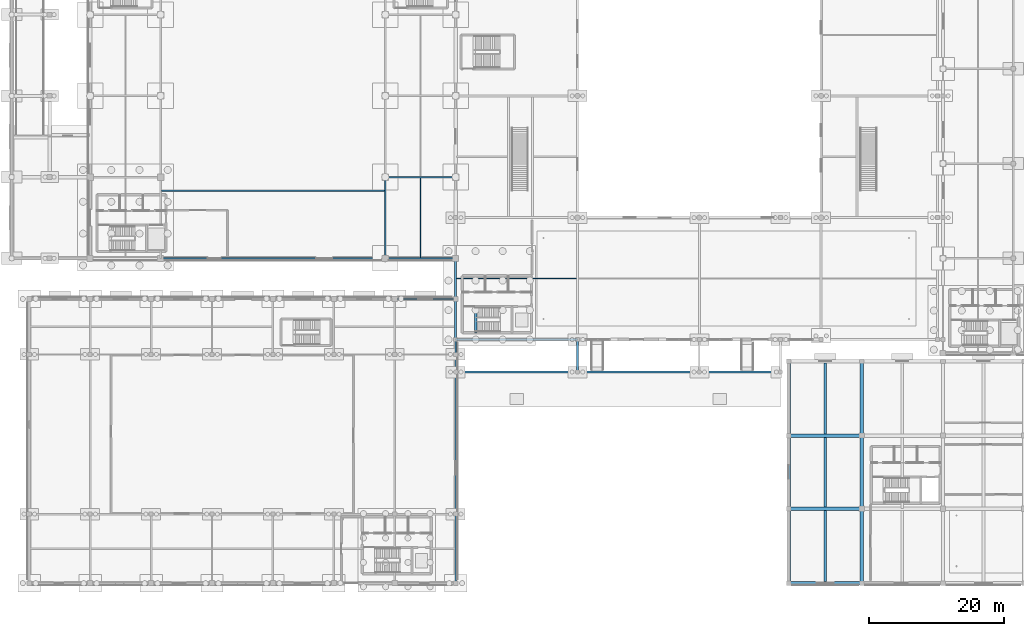
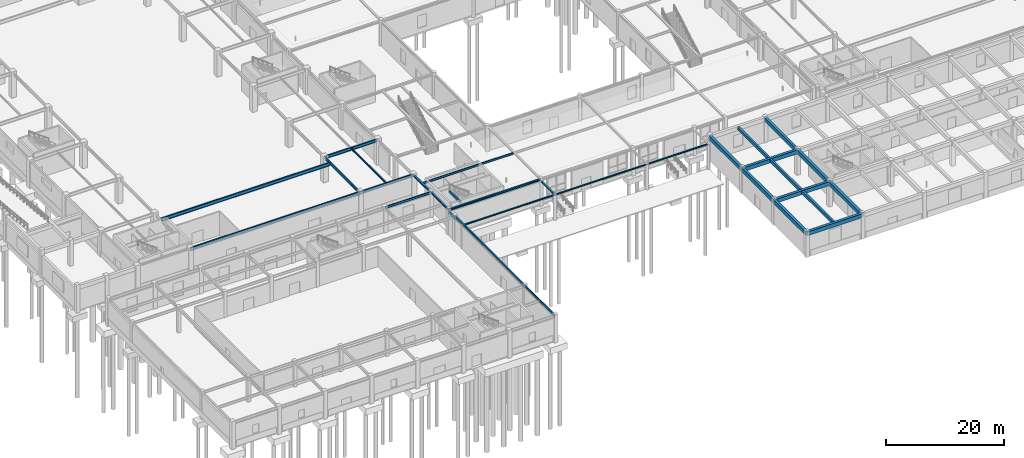
# One storey, part 12 of 53: 30 beams.
"""IFC4 building model written with IfcOpenShell, lengths in metres."""

from ifc_helpers import new_model, si_unit, derived_unit, direction, frame, origin, origin_2d, place, context, subcontext, project, spatial, rectangle, i_section, extrude, material, material_profile, profile_set, type_object, element, save


model = new_model("IFC4")

# Units and contexts
model_context = context("Model", 3, precision=1e-05, world=origin(), true_north=direction((0.0, 1.0)))
body_context = subcontext(model_context, "Body", "Model", "MODEL_VIEW")
ifc_project = project(units=[si_unit("LENGTHUNIT", "METRE"), si_unit("AREAUNIT", "SQUARE_METRE"), si_unit("VOLUMEUNIT", "CUBIC_METRE"), si_unit("PLANEANGLEUNIT", "RADIAN"), si_unit("MASSUNIT", "GRAM", prefix="KILO"), derived_unit("THERMALTRANSMITTANCEUNIT", [(si_unit("POWERUNIT", "WATT"), 1), (si_unit("LENGTHUNIT", "METRE"), -2), (si_unit("THERMODYNAMICTEMPERATUREUNIT", "KELVIN"), -1)])], contexts=[model_context])

# Site, building, storey
site_placement = place(None, origin())
site = spatial("IfcSite", under=ifc_project, at=site_placement, CompositionType="ELEMENT")
building_placement = place(site_placement, origin())
building = spatial("IfcBuilding", under=site, at=building_placement, Name="Almenara Railside Exhibition Hall", CompositionType="ELEMENT")
storey_placement = place(building_placement, origin())
storey = spatial("IfcBuildingStorey", under=building, at=storey_placement, Name="L00", CompositionType="ELEMENT", Elevation=0.0)

# Beams
ifc_material_1 = material(Name="Concrete C35/45", Category="concrete")
ifc_material_profile_1 = material_profile(ifc_material_1, rectangle(XDim=0.5, YDim=0.800048828125, at=origin_2d()), Name="RC 500x800")
ifc_profile_set_1 = profile_set([ifc_material_profile_1], Name="Concrete C35/45")
beam_type_1 = type_object("IfcBeamType", Name="RC Primary Beam 500x800 C35/45", PredefinedType="BEAM", material=ifc_profile_set_1)
for number, where, z_axis, x_axis, name in (
    (1, (115.199951171875, 0.0, 4.736083984375), (1.0, 0.0, 0.0), (0.0, 1.0, 0.0), "Beam 0082"),
    (2, (115.199951171875, 11.0, 4.736083984375), (1.0, 0.0, 0.0), (0.0, 1.0, 0.0), "Beam 0090"),
    (3, (115.199951171875, 21.800048828125, 4.736083984375), (1.0, 0.0, 0.0), (0.0, 1.0, 0.0), "Beam 0098"),
):
    element("IfcBeam", number, at=place(storey_placement, frame(where, z_axis=z_axis, x_axis=x_axis)), inside=storey, type_object=beam_type_1, Name=name, PredefinedType="BEAM", context=body_context, shape_type="SweptSolid", body=[
        extrude(rectangle(XDim=0.5, YDim=0.800048828125, at=origin_2d()), origin(), (0.0, 0.0, 1.0), 10.800048828125),
    ])
beam_1_placement = place(storey_placement, frame((115.199951171875, 0.0, 4.736083984375), z_axis=(0.0, 1.0, 0.0), x_axis=(-1.0, 0.0, 0.0)))
element("IfcBeam", 4, at=beam_1_placement, inside=storey, type_object=beam_type_1, Name="Beam 0114", PredefinedType="BEAM", context=body_context, shape_type="SweptSolid", body=[
    extrude(rectangle(XDim=0.5, YDim=0.800048828125, at=origin_2d()), origin(), (0.0, 0.0, 1.0), 11.0),
])
beam_2_placement = place(storey_placement, frame((115.199951171875, 11.0, 4.736083984375), z_axis=(0.0, 1.0, 0.0), x_axis=(-1.0, 0.0, 0.0)))
element("IfcBeam", 5, at=beam_2_placement, inside=storey, type_object=beam_type_1, Name="Beam 0115", PredefinedType="BEAM", context=body_context, shape_type="SweptSolid", body=[
    extrude(rectangle(XDim=0.5, YDim=0.800048828125, at=origin_2d()), origin(), (0.0, 0.0, 1.0), 10.800048828125),
])
for number, where, z_axis, x_axis, name in (
    (6, (115.199951171875, 21.800048828125, 4.736083984375), (0.0, 1.0, 0.0), (-1.0, 0.0, 0.0), "Beam 0116"),
    (7, (126.0, 0.0, 4.736083984375), (0.0, 1.0, 0.0), (-1.0, 0.0, 0.0), "Beam 0117"),
):
    element("IfcBeam", number, at=place(storey_placement, frame(where, z_axis=z_axis, x_axis=x_axis)), inside=storey, type_object=beam_type_1, Name=name, PredefinedType="BEAM", context=body_context, shape_type="SweptSolid", body=[
        extrude(rectangle(XDim=0.5, YDim=0.800048828125, at=origin_2d()), origin(), (0.0, 0.0, 1.0), 11.0),
    ])
beam_3_placement = place(storey_placement, frame((126.0, 11.0, 4.736083984375), z_axis=(0.0, 1.0, 0.0), x_axis=(-1.0, 0.0, 0.0)))
element("IfcBeam", 8, at=beam_3_placement, inside=storey, type_object=beam_type_1, Name="Beam 0118", PredefinedType="BEAM", context=body_context, shape_type="SweptSolid", body=[
    extrude(rectangle(XDim=0.5, YDim=0.800048828125, at=origin_2d()), origin(), (0.0, 0.0, 1.0), 10.800048828125),
])
beam_4_placement = place(storey_placement, frame((126.0, 21.800048828125, 4.736083984375), z_axis=(0.0, 1.0, 0.0), x_axis=(-1.0, 0.0, 0.0)))
element("IfcBeam", 9, at=beam_4_placement, inside=storey, type_object=beam_type_1, Name="Beam 0119", PredefinedType="BEAM", context=body_context, shape_type="SweptSolid", body=[
    extrude(rectangle(XDim=0.5, YDim=0.800048828125, at=origin_2d()), origin(), (0.0, 0.0, 1.0), 11.0),
])
ifc_material_profile_2 = material_profile(ifc_material_1, rectangle(XDim=0.39990234375, YDim=0.60009765625, at=origin_2d()), Name="RC 400x600")
ifc_profile_set_2 = profile_set([ifc_material_profile_2], Name="Concrete C35/45")
beam_type_2 = type_object("IfcBeamType", Name="RC Secondary Beam 400x600 C35/45", PredefinedType="BEAM", material=ifc_profile_set_2)
beam_5_placement = place(storey_placement, frame((120.60009765625, 0.25, 4.8359375), z_axis=(0.0, 1.0, 0.0), x_axis=(-1.0, 0.0, 0.0)))
element("IfcBeam", 10, at=beam_5_placement, inside=storey, type_object=beam_type_2, Name="Beam 0142", PredefinedType="BEAM", context=body_context, shape_type="SweptSolid", body=[
    extrude(rectangle(XDim=0.39990234375, YDim=0.60009765625, at=origin_2d()), origin(), (0.0, 0.0, 1.0), 10.5),
])
beam_6_placement = place(storey_placement, frame((120.60009765625, 11.25, 4.8359375), z_axis=(0.0, 1.0, 0.0), x_axis=(-1.0, 0.0, 0.0)))
element("IfcBeam", 11, at=beam_6_placement, inside=storey, type_object=beam_type_2, Name="Beam 0143", PredefinedType="BEAM", context=body_context, shape_type="SweptSolid", body=[
    extrude(rectangle(XDim=0.39990234375, YDim=0.60009765625, at=origin_2d()), origin(), (0.0, 0.0, 1.0), 10.300048828125),
])
beam_7_placement = place(storey_placement, frame((120.60009765625, 22.050048828125, 4.8359375), z_axis=(0.0, 1.0, 0.0), x_axis=(-1.0, 0.0, 0.0)))
element("IfcBeam", 12, at=beam_7_placement, inside=storey, type_object=beam_type_2, Name="Beam 0144", PredefinedType="BEAM", context=body_context, shape_type="SweptSolid", body=[
    extrude(rectangle(XDim=0.39990234375, YDim=0.60009765625, at=origin_2d()), origin(), (0.0, 0.0, 1.0), 10.5),
])
ifc_material_profile_3 = material_profile(ifc_material_1, rectangle(XDim=0.35009765625, YDim=0.5, at=origin_2d()), Name="RC 350x500")
ifc_profile_set_3 = profile_set([ifc_material_profile_3], Name="Concrete C35/45")
beam_type_3 = type_object("IfcBeamType", Name="RC Spandrel Tie Beam 350x500 C35/45", PredefinedType="SPANDREL", material=ifc_profile_set_3)
beam_8_placement = place(storey_placement, frame((68.949951171875, 37.0, 4.885986328125), z_axis=(0.0, 1.0, 0.0), x_axis=(-1.0, 0.0, 0.0)))
element("IfcBeam", 13, at=beam_8_placement, inside=storey, type_object=beam_type_3, Name="Stair trimmer ST-C4-L00", PredefinedType="SPANDREL", context=body_context, shape_type="SweptSolid", body=[
    extrude(rectangle(XDim=0.35009765625, YDim=0.5, at=origin_2d()), origin(), (0.0, 0.0, 1.0), 3.89990234375),
])
ifc_material_2 = material(Name="Structural steel S355JR", Category="steel")
ifc_material_profile_4 = material_profile(ifc_material_2, i_section(OverallWidth=0.300048828125, OverallDepth=0.31005859375, WebThickness=0.009033203125, FlangeThickness=0.015380859375, FilletRadius=0.027099609375, at=origin_2d()), Name="HEA 320")
ifc_profile_set_4 = profile_set([ifc_material_profile_4], Name="Structural steel S355JR")
beam_type_4 = type_object("IfcBeamType", Name="Steel Concourse Edge Beam HEA 320 S355JR", PredefinedType="BEAM", material=ifc_profile_set_4)
beam_9_placement = place(storey_placement, frame((66.0, 36.0, 4.98095703125), z_axis=(0.0, 1.0, 0.0), x_axis=(-1.0, 0.0, 0.0)))
element("IfcBeam", 14, at=beam_9_placement, inside=storey, type_object=beam_type_4, Name="Beam 0768", PredefinedType="BEAM", context=body_context, shape_type="SweptSolid", body=[
    extrude(i_section(OverallWidth=0.300048828125, OverallDepth=0.31005859375, WebThickness=0.009033203125, FlangeThickness=0.015380859375, FilletRadius=0.027099609375, at=origin_2d()), origin(), (0.0, 0.0, 1.0), 12.0),
])
ifc_material_profile_5 = material_profile(ifc_material_2, i_section(OverallWidth=0.300048828125, OverallDepth=0.389892578125, WebThickness=0.010986328125, FlangeThickness=0.01904296875, FilletRadius=0.027099609375, at=origin_2d()), Name="HEA 400")
ifc_profile_set_5 = profile_set([ifc_material_profile_5], Name="Structural steel S355JR")
beam_type_5 = type_object("IfcBeamType", Name="Steel Concourse Main Beam HEA 400 S355JR", PredefinedType="BEAM", material=ifc_profile_set_5)
beam_10_placement = place(storey_placement, frame((66.0, 36.0, 4.94091796875), z_axis=(1.0, 0.0, 0.0), x_axis=(0.0, 1.0, 0.0)))
element("IfcBeam", 15, at=beam_10_placement, inside=storey, type_object=beam_type_5, Name="Beam 0737", PredefinedType="BEAM", context=body_context, shape_type="SweptSolid", body=[
    extrude(i_section(OverallWidth=0.300048828125, OverallDepth=0.389892578125, WebThickness=0.010986328125, FlangeThickness=0.01904296875, FilletRadius=0.027099609375, at=origin_2d()), origin(), (0.0, 0.0, 1.0), 18.0),
])
ifc_material_profile_6 = material_profile(ifc_material_2, i_section(OverallWidth=0.18994140625, OverallDepth=0.453369140625, WebThickness=0.008544921875, FlangeThickness=0.0126953125, FilletRadius=0.01025390625, at=origin_2d()), Name="UB 457x191x67")
ifc_profile_set_6 = profile_set([ifc_material_profile_6], Name="Structural steel S355JR")
beam_type_6 = type_object("IfcBeamType", Name="Steel Floor Beam UB 457x191x67 S355JR", PredefinedType="BEAM", material=ifc_profile_set_6)
beam_11_placement = place(storey_placement, frame((57.0, 42.0, 4.9091796875), z_axis=(1.0, 0.0, 0.0), x_axis=(0.0, 1.0, 0.0)))
element("IfcBeam", 16, at=beam_11_placement, inside=storey, type_object=beam_type_6, Name="Beam 0928", PredefinedType="BEAM", context=body_context, shape_type="SweptSolid", body=[
    extrude(i_section(OverallWidth=0.18994140625, OverallDepth=0.453369140625, WebThickness=0.008544921875, FlangeThickness=0.0126953125, FilletRadius=0.01025390625, at=origin_2d()), origin(), (0.0, 0.0, 1.0), 9.0),
])
ifc_material_profile_7 = material_profile(ifc_material_2, i_section(OverallWidth=0.22900390625, OverallDepth=0.6123046875, WebThickness=0.011962890625, FlangeThickness=0.01953125, FilletRadius=0.0126953125, at=origin_2d()), Name="UB 610x229x125")
ifc_profile_set_7 = profile_set([ifc_material_profile_7], Name="Structural steel S355JR")
beam_type_7 = type_object("IfcBeamType", Name="Steel Gallery Girder UB 610x229x125 S355JR", PredefinedType="USERDEFINED", material=ifc_profile_set_7)
for number, where, z_axis, x_axis, name in (
    (17, (55.60009765625, 48.0, 4.833984375), (1.0, 0.0, 0.0), (0.0, 1.0, 0.0), "Beam 0491"),
    (18, (55.60009765625, 60.0, 4.833984375), (1.0, 0.0, 0.0), (0.0, 1.0, 0.0), "Beam 0493"),
):
    element("IfcBeam", number, at=place(storey_placement, frame(where, z_axis=z_axis, x_axis=x_axis)), inside=storey, type_object=beam_type_7, Name=name, ObjectType="GIRDER", PredefinedType="USERDEFINED", context=body_context, shape_type="SweptSolid", body=[
        extrude(i_section(OverallWidth=0.22900390625, OverallDepth=0.6123046875, WebThickness=0.011962890625, FlangeThickness=0.01953125, FilletRadius=0.0126953125, at=origin_2d()), origin(), (0.0, 0.0, 1.0), 10.39990234375),
    ])
beam_12_placement = place(storey_placement, frame((66.0, 10.199951171875, 4.829833984375), z_axis=(0.0, 1.0, 0.0), x_axis=(-1.0, 0.0, 0.0)))
element("IfcBeam", 19, at=beam_12_placement, inside=storey, type_object=beam_type_7, Name="Beam 0869", ObjectType="GIRDER", PredefinedType="USERDEFINED", context=body_context, shape_type="SweptSolid", body=[
    extrude(i_section(OverallWidth=0.22900390625, OverallDepth=0.6123046875, WebThickness=0.011962890625, FlangeThickness=0.01953125, FilletRadius=0.0126953125, at=origin_2d()), origin(), (0.0, 0.0, 1.0), 23.60009765625),
])
ifc_material_profile_8 = material_profile(ifc_material_2, i_section(OverallWidth=0.172119140625, OverallDepth=0.35791015625, WebThickness=0.008056640625, FlangeThickness=0.012939453125, FilletRadius=0.01025390625, at=origin_2d()), Name="UB 356x171x57")
ifc_profile_set_8 = profile_set([ifc_material_profile_8], Name="Structural steel S355JR")
beam_type_8 = type_object("IfcBeamType", Name="Steel Gallery Joist UB 356x171x57 S355JR", PredefinedType="JOIST", material=ifc_profile_set_8)
beam_13_placement = place(storey_placement, frame((60.800048828125, 48.114501953125, 4.9609375), z_axis=(0.0, 1.0, 0.0), x_axis=(-1.0, 0.0, 0.0)))
element("IfcBeam", 20, at=beam_13_placement, inside=storey, type_object=beam_type_8, Name="Beam 0541", PredefinedType="JOIST", context=body_context, shape_type="SweptSolid", body=[
    extrude(i_section(OverallWidth=0.172119140625, OverallDepth=0.35791015625, WebThickness=0.008056640625, FlangeThickness=0.012939453125, FilletRadius=0.01025390625, at=origin_2d()), origin(), (0.0, 0.0, 1.0), 11.77099609375),
])
ifc_material_profile_9 = material_profile(ifc_material_2, i_section(OverallWidth=0.253662109375, OverallDepth=0.68359375, WebThickness=0.012451171875, FlangeThickness=0.01904296875, FilletRadius=0.01513671875, at=origin_2d()), Name="UB 686x254x140")
ifc_profile_set_9 = profile_set([ifc_material_profile_9], Name="Structural steel S355JR")
beam_type_9 = type_object("IfcBeamType", Name="Steel Heavy Deck Girder UB 686x254x140 S355JR", PredefinedType="USERDEFINED", material=ifc_profile_set_9)
beam_14_placement = place(storey_placement, frame((22.39990234375, 48.0, 4.79833984375), z_axis=(1.0, 0.0, 0.0), x_axis=(0.0, 1.0, 0.0)))
element("IfcBeam", 21, at=beam_14_placement, inside=storey, type_object=beam_type_9, Name="Beam 0506", ObjectType="GIRDER", PredefinedType="USERDEFINED", context=body_context, shape_type="SweptSolid", body=[
    extrude(i_section(OverallWidth=0.253662109375, OverallDepth=0.68359375, WebThickness=0.012451171875, FlangeThickness=0.01904296875, FilletRadius=0.01513671875, at=origin_2d()), origin(), (0.0, 0.0, 1.0), 33.2001953125),
])
beam_15_placement = place(storey_placement, frame((22.50537109375, 58.0, 4.79833984375), z_axis=(1.0, 0.0, 0.0), x_axis=(0.0, 1.0, 0.0)))
element("IfcBeam", 22, at=beam_15_placement, inside=storey, type_object=beam_type_9, Name="Beam 0507", ObjectType="GIRDER", PredefinedType="USERDEFINED", context=body_context, shape_type="SweptSolid", body=[
    extrude(i_section(OverallWidth=0.253662109375, OverallDepth=0.68359375, WebThickness=0.012451171875, FlangeThickness=0.01904296875, FilletRadius=0.01513671875, at=origin_2d()), origin(), (0.0, 0.0, 1.0), 32.9892578125),
])
ifc_material_profile_10 = material_profile(ifc_material_2, i_section(OverallWidth=0.210693359375, OverallDepth=0.53955078125, WebThickness=0.01171875, FlangeThickness=0.018798828125, FilletRadius=0.0126953125, at=origin_2d()), Name="UB 533x210x109")
ifc_profile_set_10 = profile_set([ifc_material_profile_10], Name="Structural steel S355JR")
beam_type_10 = type_object("IfcBeamType", Name="Steel Heavy Floor Beam UB 533x210x109 S355JR", PredefinedType="BEAM", material=ifc_profile_set_10)
beam_16_placement = place(storey_placement, frame((55.60009765625, 48.0, 4.870361328125), z_axis=(0.0, 1.0, 0.0), x_axis=(-1.0, 0.0, 0.0)))
element("IfcBeam", 23, at=beam_16_placement, inside=storey, type_object=beam_type_10, Name="Beam 0533", PredefinedType="BEAM", context=body_context, shape_type="SweptSolid", body=[
    extrude(i_section(OverallWidth=0.210693359375, OverallDepth=0.53955078125, WebThickness=0.01171875, FlangeThickness=0.018798828125, FilletRadius=0.0126953125, at=origin_2d()), origin(), (0.0, 0.0, 1.0), 12.0),
])
ifc_material_profile_11 = material_profile(ifc_material_2, i_section(OverallWidth=0.239990234375, OverallDepth=0.22998046875, WebThickness=0.007568359375, FlangeThickness=0.011962890625, FilletRadius=0.02099609375, at=origin_2d()), Name="HEA 240")
ifc_profile_set_11 = profile_set([ifc_material_profile_11], Name="Structural steel S355JR")
beam_type_11 = type_object("IfcBeamType", Name="Steel Portico Beam HEA 240 S355JR", PredefinedType="BEAM", material=ifc_profile_set_11)
for number, where, z_axis, x_axis, name in (
    (24, (66.0, 31.199951171875, 4.680908203125), (1.0, 0.0, 0.0), (0.0, 1.0, 0.0), "Beam 0950"),
    (25, (84.0, 31.199951171875, 4.680908203125), (1.0, 0.0, 0.0), (0.0, 1.0, 0.0), "Beam 0951"),
):
    element("IfcBeam", number, at=place(storey_placement, frame(where, z_axis=z_axis, x_axis=x_axis)), inside=storey, type_object=beam_type_11, Name=name, PredefinedType="BEAM", context=body_context, shape_type="SweptSolid", body=[
        extrude(i_section(OverallWidth=0.239990234375, OverallDepth=0.22998046875, WebThickness=0.007568359375, FlangeThickness=0.011962890625, FilletRadius=0.02099609375, at=origin_2d()), origin(), (0.0, 0.0, 1.0), 18.0),
    ])
beam_17_placement = place(storey_placement, frame((102.0, 31.199951171875, 4.680908203125), z_axis=(1.0, 0.0, 0.0), x_axis=(0.0, 1.0, 0.0)))
element("IfcBeam", 26, at=beam_17_placement, inside=storey, type_object=beam_type_11, Name="Beam 0952", PredefinedType="BEAM", context=body_context, shape_type="SweptSolid", body=[
    extrude(i_section(OverallWidth=0.239990234375, OverallDepth=0.22998046875, WebThickness=0.007568359375, FlangeThickness=0.011962890625, FilletRadius=0.02099609375, at=origin_2d()), origin(), (0.0, 0.0, 1.0), 12.0),
])
beam_18_placement = place(storey_placement, frame((84.0, 31.199951171875, 4.680908203125), z_axis=(0.0, 1.0, 0.0), x_axis=(-1.0, 0.0, 0.0)))
element("IfcBeam", 27, at=beam_18_placement, inside=storey, type_object=beam_type_11, Name="Beam 0953", PredefinedType="BEAM", context=body_context, shape_type="SweptSolid", body=[
    extrude(i_section(OverallWidth=0.239990234375, OverallDepth=0.22998046875, WebThickness=0.007568359375, FlangeThickness=0.011962890625, FilletRadius=0.02099609375, at=origin_2d()), origin(), (0.0, 0.0, 1.0), 4.800048828125),
])
ifc_material_profile_12 = material_profile(ifc_material_2, i_section(OverallWidth=0.209228515625, OverallDepth=0.533203125, WebThickness=0.010009765625, FlangeThickness=0.015625, FilletRadius=0.0126953125, at=origin_2d()), Name="UB 533x210x92")
ifc_profile_set_12 = profile_set([ifc_material_profile_12], Name="Structural steel S355JR")
beam_type_12 = type_object("IfcBeamType", Name="Steel Primary Beam UB 533x210x92 S355JR", PredefinedType="BEAM", material=ifc_profile_set_12)
beam_19_placement = place(storey_placement, frame((66.0, 0.0, 4.869384765625), z_axis=(0.0, 1.0, 0.0), x_axis=(-1.0, 0.0, 0.0)))
element("IfcBeam", 28, at=beam_19_placement, inside=storey, type_object=beam_type_12, Name="Beam 0867", PredefinedType="BEAM", context=body_context, shape_type="SweptSolid", body=[
    extrude(i_section(OverallWidth=0.209228515625, OverallDepth=0.533203125, WebThickness=0.010009765625, FlangeThickness=0.015625, FilletRadius=0.0126953125, at=origin_2d()), origin(), (0.0, 0.0, 1.0), 10.199951171875),
])
beam_20_placement = place(storey_placement, frame((66.0, 33.800048828125, 4.529541015625), z_axis=(0.0, 1.0, 0.0), x_axis=(-1.0, 0.0, 0.0)))
element("IfcBeam", 29, at=beam_20_placement, inside=storey, type_object=beam_type_12, Name="Beam 0868", PredefinedType="BEAM", context=body_context, shape_type="SweptSolid", body=[
    extrude(i_section(OverallWidth=0.209228515625, OverallDepth=0.533203125, WebThickness=0.010009765625, FlangeThickness=0.015625, FilletRadius=0.0126953125, at=origin_2d()), origin(), (0.0, 0.0, 1.0), 2.199951171875),
])
ifc_material_profile_13 = material_profile(ifc_material_2, i_section(OverallWidth=0.177734375, OverallDepth=0.402587890625, WebThickness=0.0078125, FlangeThickness=0.010986328125, FilletRadius=0.01025390625, at=origin_2d()), Name="UB 406x178x54")
ifc_profile_set_13 = profile_set([ifc_material_profile_13], Name="Structural steel S355JR")
beam_type_13 = type_object("IfcBeamType", Name="Steel Secondary Joist UB 406x178x54 S355JR", PredefinedType="JOIST", material=ifc_profile_set_13)
beam_21_placement = place(storey_placement, frame((66.14990234375, 45.0, 4.934814453125), z_axis=(1.0, 0.0, 0.0), x_axis=(0.0, 1.0, 0.0)))
element("IfcBeam", 30, at=beam_21_placement, inside=storey, type_object=beam_type_13, Name="Beam 0738", PredefinedType="JOIST", context=body_context, shape_type="SweptSolid", body=[
    extrude(i_section(OverallWidth=0.177734375, OverallDepth=0.402587890625, WebThickness=0.0078125, FlangeThickness=0.010986328125, FilletRadius=0.01025390625, at=origin_2d()), origin(), (0.0, 0.0, 1.0), 17.7001953125),
])

save(model, "model.ifc")
